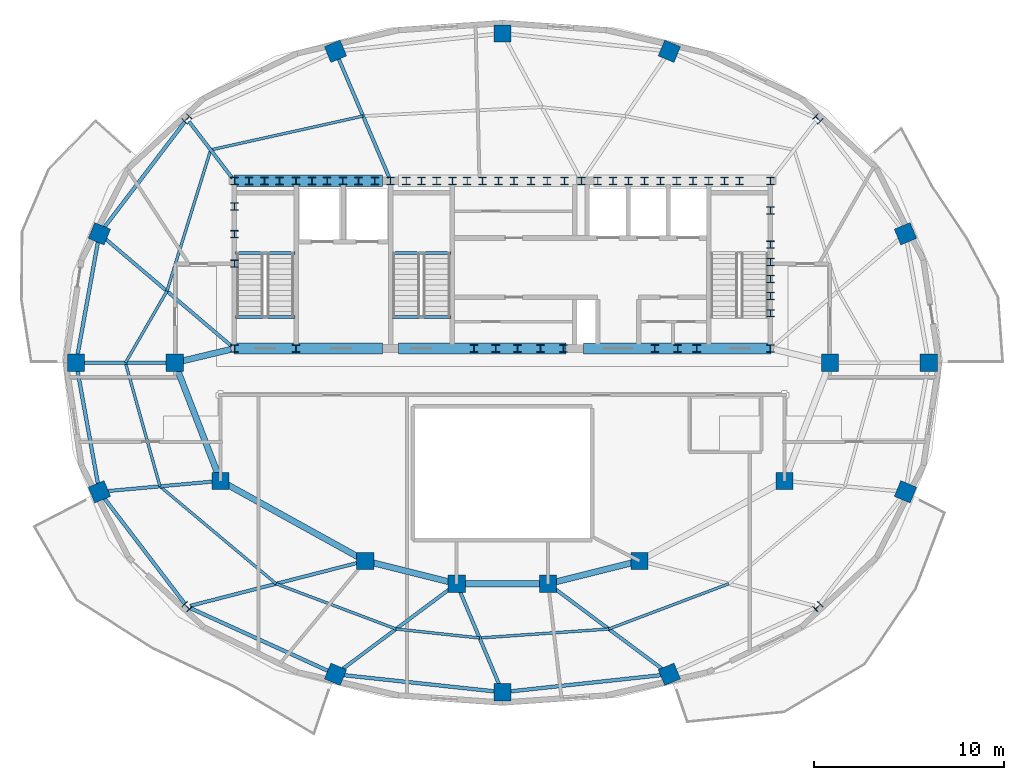
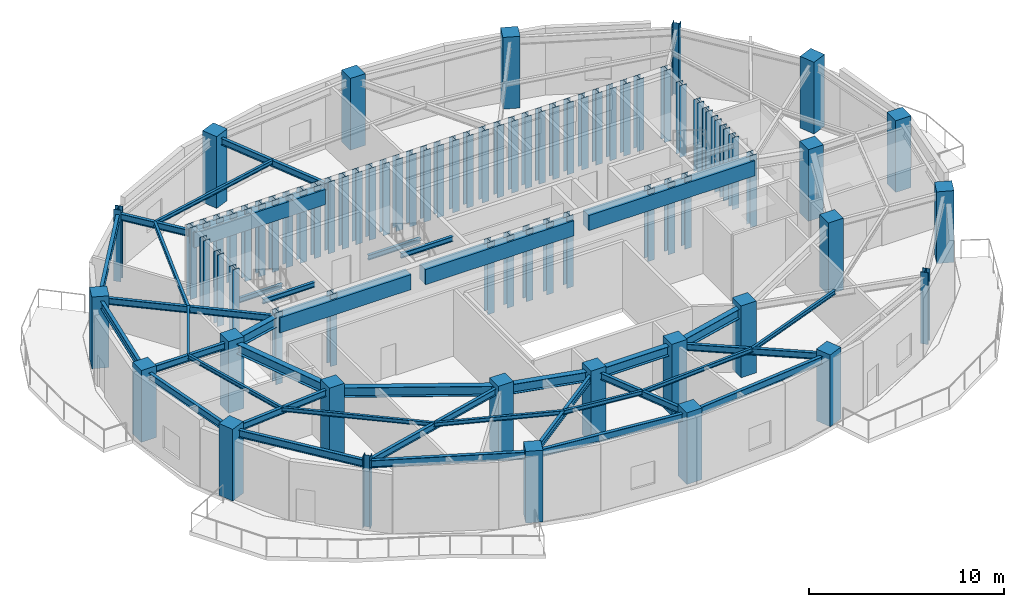
# One storey, part 1 of 9: 78 columns, 39 beams.
"""IFC4 building model written with IfcOpenShell, lengths in metres."""

from ifc_helpers import new_model, si_unit, direction, frame, origin, origin_2d, place, context, subcontext, project, spatial, rectangle, i_section, extrude, material, material_profile, profile_set, type_object, element, save


model = new_model("IFC4")

# Units and contexts
model_context = context("Model", 3, precision=1e-05, world=origin(), true_north=direction((0.0, 1.0)))
body_context = subcontext(model_context, "Body", "Model", "MODEL_VIEW")
ifc_project = project(units=[si_unit("LENGTHUNIT", "METRE"), si_unit("AREAUNIT", "SQUARE_METRE"), si_unit("VOLUMEUNIT", "CUBIC_METRE"), si_unit("PLANEANGLEUNIT", "RADIAN"), si_unit("MASSUNIT", "GRAM", prefix="KILO")], contexts=[model_context])

# Site, building, storey
site_placement = place(None, origin())
site = spatial("IfcSite", under=ifc_project, at=site_placement, CompositionType="ELEMENT")
building_placement = place(site_placement, origin())
building = spatial("IfcBuilding", under=site, at=building_placement, Name="Haldorwick Loom Tower", CompositionType="ELEMENT")
storey_placement = place(building_placement, frame((0.0, 0.0, 282.0)))
storey = spatial("IfcBuildingStorey", under=building, at=storey_placement, Name="L76", CompositionType="ELEMENT", Elevation=282.0)

# Columns
ifc_material_1 = material(Name="Concrete C50 (50 MPa)", Category="concrete")
ifc_material_profile_1 = material_profile(ifc_material_1, rectangle(XDim=0.89990234375, YDim=0.89990234375, at=origin_2d()), Name="RC900X900", Category="concrete")
ifc_profile_set_1 = profile_set([ifc_material_profile_1], Name="Concrete C50 (50 MPa)")
column_type_1 = type_object("IfcColumnType", Name="STR-COL-RC900", PredefinedType="COLUMN", material=ifc_profile_set_1)
for number, where, z_axis, x_axis, name in (
    (1, (53.199951171875, 26.0, 0.0), (0.0, 0.0, 1.0), (1.0, 0.0, 0.0), "L76 Inner Column IC-01"),
    (2, (50.800048828125, 19.800048828125, 0.0), (0.0, 0.0, 1.0), (1.0, 0.0, 0.0), "L76 Inner Column IC-02"),
    (3, (43.199951171875, 15.60009765625, 0.0), (0.0, 0.0, 1.0), (1.0, 0.0, 0.0), "L76 Inner Column IC-03"),
    (4, (38.39990234375, 14.39990234375, 0.0), (0.0, 0.0, 1.0), (1.0, 0.0, 0.0), "L76 Inner Column IC-04"),
    (5, (33.60009765625, 14.39990234375, 0.0), (0.0, 0.0, 1.0), (1.0, 0.0, 0.0), "L76 Inner Column IC-05"),
    (6, (28.800048828125, 15.60009765625, 0.0), (0.0, 0.0, 1.0), (1.0, 0.0, 0.0), "L76 Inner Column IC-06"),
    (7, (21.199951171875, 19.800048828125, 0.0), (0.0, 0.0, 1.0), (1.0, 0.0, 0.0), "L76 Inner Column IC-07"),
    (8, (18.800048828125, 26.0, 0.0), (0.0, 0.0, 1.0), (1.0, 0.0, 0.0), "L76 Inner Column IC-08"),
    (9, (58.380859375, 26.0, 0.0), (0.0, 0.0, 1.0), (1.0, 0.0, 0.0), "L76 Perimeter Pier Column P01"),
    (10, (57.15673828125, 32.7734375, 0.0), (0.0, 0.0, 1.0), (0.923879532511, 0.382683432365, 0.0), "L76 Perimeter Pier Column P02"),
    (11, (44.763427734375, 42.352783203125, 0.0), (0.0, 0.0, 1.0), (0.382683432365, 0.923879532511, 0.0), "L76 Perimeter Pier Column P04"),
    (12, (36.0, 43.295166015625, 0.0), (0.0, 0.0, 1.0), (0.0, 1.0, 0.0), "L76 Perimeter Pier Column P05"),
    (13, (27.236572265625, 42.352783203125, 0.0), (0.0, 0.0, 1.0), (-0.382683432365, 0.923879532511, 0.0), "L76 Perimeter Pier Column P06"),
    (14, (14.84326171875, 32.7734375, 0.0), (0.0, 0.0, 1.0), (-0.923879532511, 0.382683432365, 0.0), "L76 Perimeter Pier Column P08"),
    (15, (13.619140625, 26.0, 0.0), (0.0, 0.0, 1.0), (-1.0, 0.0, 0.0), "L76 Perimeter Pier Column P09"),
    (16, (14.84326171875, 19.2265625, 0.0), (0.0, 0.0, 1.0), (-0.923879532511, -0.382683432365, 0.0), "L76 Perimeter Pier Column P10"),
    (17, (27.236572265625, 9.647216796875, 0.0), (0.0, 0.0, 1.0), (-0.382683432365, -0.923879532511, 0.0), "L76 Perimeter Pier Column P12"),
    (18, (36.0, 8.704833984375, 0.0), (0.0, 0.0, 1.0), (0.0, -1.0, 0.0), "L76 Perimeter Pier Column P13"),
    (19, (44.763427734375, 9.647216796875, 0.0), (0.0, 0.0, 1.0), (0.382683432365, -0.923879532511, 0.0), "L76 Perimeter Pier Column P14"),
    (20, (57.15673828125, 19.2265625, 0.0), (0.0, 0.0, 1.0), (0.923879532511, -0.382683432365, 0.0), "L76 Perimeter Pier Column P16"),
):
    element("IfcColumn", number, at=place(storey_placement, frame(where, z_axis=z_axis, x_axis=x_axis)), inside=storey, type_object=column_type_1, Name=name, PredefinedType="COLUMN", context=body_context, shape_type="SweptSolid", body=[
        extrude(rectangle(XDim=0.89990234375, YDim=0.89990234375, at=origin_2d()), origin(), (0.0, 0.0, 1.0), 4.5),
    ])
ifc_material_2 = material(Name="Steel CSA G40.21 350W", Category="steel")
ifc_material_profile_2 = material_profile(ifc_material_2, i_section(OverallWidth=0.39892578125, OverallDepth=0.39306640625, WebThickness=0.0185546875, FlangeThickness=0.029541015625, at=origin_2d()), Name="W360X287", Category="steel")
ifc_profile_set_2 = profile_set([ifc_material_profile_2], Name="Steel CSA G40.21 350W")
column_type_2 = type_object("IfcColumnType", Name="STR-COL-W360X287", PredefinedType="COLUMN", material=ifc_profile_set_2)
for number, where, z_axis, x_axis, name in (
    (21, (21.929931640625, 35.550048828125, 0.0), (0.0, 0.0, 1.0), (1.0, 0.0, 0.0), "L76 Core Pilaster CB-01"),
    (22, (23.5, 35.550048828125, 0.0), (0.0, 0.0, 1.0), (1.0, 0.0, 0.0), "L76 Core Pilaster CB-02"),
    (23, (25.169921875, 35.550048828125, 0.0), (0.0, 0.0, 1.0), (1.0, 0.0, 0.0), "L76 Core Pilaster CB-03"),
    (24, (26.800048828125, 35.550048828125, 0.0), (0.0, 0.0, 1.0), (1.0, 0.0, 0.0), "L76 Core Pilaster CB-04"),
    (25, (28.449951171875, 35.550048828125, 0.0), (0.0, 0.0, 1.0), (1.0, 0.0, 0.0), "L76 Core Pilaster CB-05"),
    (26, (30.1298828125, 35.550048828125, 0.0), (0.0, 0.0, 1.0), (1.0, 0.0, 0.0), "L76 Core Pilaster CB-06"),
    (27, (31.75, 35.550048828125, 0.0), (0.0, 0.0, 1.0), (1.0, 0.0, 0.0), "L76 Core Pilaster CB-07"),
    (28, (33.3701171875, 35.550048828125, 0.0), (0.0, 0.0, 1.0), (1.0, 0.0, 0.0), "L76 Core Pilaster CB-08"),
    (29, (34.949951171875, 35.550048828125, 0.0), (0.0, 0.0, 1.0), (1.0, 0.0, 0.0), "L76 Core Pilaster CB-09"),
    (30, (36.60009765625, 35.550048828125, 0.0), (0.0, 0.0, 1.0), (1.0, 0.0, 0.0), "L76 Core Pilaster CB-10"),
    (31, (38.35009765625, 35.550048828125, 0.0), (0.0, 0.0, 1.0), (1.0, 0.0, 0.0), "L76 Core Pilaster CB-11"),
    (32, (40.14990234375, 35.550048828125, 0.0), (0.0, 0.0, 1.0), (1.0, 0.0, 0.0), "L76 Core Pilaster CB-12"),
    (33, (41.800048828125, 35.550048828125, 0.0), (0.0, 0.0, 1.0), (1.0, 0.0, 0.0), "L76 Core Pilaster CB-13"),
    (34, (43.449951171875, 35.550048828125, 0.0), (0.0, 0.0, 1.0), (1.0, 0.0, 0.0), "L76 Core Pilaster CB-14"),
    (35, (45.14990234375, 35.550048828125, 0.0), (0.0, 0.0, 1.0), (1.0, 0.0, 0.0), "L76 Core Pilaster CB-15"),
    (36, (46.830078125, 35.550048828125, 0.0), (0.0, 0.0, 1.0), (1.0, 0.0, 0.0), "L76 Core Pilaster CB-16"),
    (37, (48.449951171875, 35.550048828125, 0.0), (0.0, 0.0, 1.0), (1.0, 0.0, 0.0), "L76 Core Pilaster CB-17"),
    (38, (50.070068359375, 35.550048828125, 0.0), (0.0, 0.0, 1.0), (1.0, 0.0, 0.0), "L76 Core Pilaster CB-18"),
    (39, (21.929931640625, 26.75, 0.0), (0.0, 0.0, 1.0), (1.0, 0.0, 0.0), "L76 Core Pilaster CB-19"),
    (40, (25.169921875, 26.75, 0.0), (0.0, 0.0, 1.0), (1.0, 0.0, 0.0), "L76 Core Pilaster CB-20"),
    (41, (34.5, 26.75, 0.0), (0.0, 0.0, 1.0), (1.0, 0.0, 0.0), "L76 Core Pilaster CB-21"),
    (42, (36.800048828125, 26.75, 0.0), (0.0, 0.0, 1.0), (1.0, 0.0, 0.0), "L76 Core Pilaster CB-22"),
    (43, (39.199951171875, 26.75, 0.0), (0.0, 0.0, 1.0), (1.0, 0.0, 0.0), "L76 Core Pilaster CB-23"),
    (44, (45.199951171875, 26.75, 0.0), (0.0, 0.0, 1.0), (1.0, 0.0, 0.0), "L76 Core Pilaster CB-24"),
    (45, (50.070068359375, 26.75, 0.0), (0.0, 0.0, 1.0), (1.0, 0.0, 0.0), "L76 Core Pilaster CB-25"),
    (46, (21.929931640625, 31.199951171875, 0.0), (0.0, 0.0, 1.0), (1.0, 0.0, 0.0), "L76 Core Pilaster CB-26"),
    (47, (21.929931640625, 32.75, 0.0), (0.0, 0.0, 1.0), (1.0, 0.0, 0.0), "L76 Core Pilaster CB-27"),
    (48, (21.929931640625, 34.199951171875, 0.0), (0.0, 0.0, 1.0), (1.0, 0.0, 0.0), "L76 Core Pilaster CB-28"),
    (49, (50.070068359375, 28.60009765625, 0.0), (0.0, 0.0, 1.0), (1.0, 0.0, 0.0), "L76 Core Pilaster CB-29"),
    (50, (50.070068359375, 30.39990234375, 0.0), (0.0, 0.0, 1.0), (1.0, 0.0, 0.0), "L76 Core Pilaster CB-30"),
    (51, (50.070068359375, 32.199951171875, 0.0), (0.0, 0.0, 1.0), (1.0, 0.0, 0.0), "L76 Core Pilaster CB-31"),
    (52, (50.070068359375, 34.0, 0.0), (0.0, 0.0, 1.0), (1.0, 0.0, 0.0), "L76 Core Pilaster CB-32"),
    (53, (22.699951171875, 35.550048828125, 0.0), (0.0, 0.0, 1.0), (1.0, 0.0, 0.0), "L76 Core Pilaster CB-33"),
    (54, (27.6201171875, 35.550048828125, 0.0), (0.0, 0.0, 1.0), (1.0, 0.0, 0.0), "L76 Core Pilaster CB-34"),
    (55, (32.550048828125, 35.550048828125, 0.0), (0.0, 0.0, 1.0), (1.0, 0.0, 0.0), "L76 Core Pilaster CB-35"),
    (56, (37.5, 35.550048828125, 0.0), (0.0, 0.0, 1.0), (1.0, 0.0, 0.0), "L76 Core Pilaster CB-36"),
    (57, (42.6201171875, 35.550048828125, 0.0), (0.0, 0.0, 1.0), (1.0, 0.0, 0.0), "L76 Core Pilaster CB-37"),
    (58, (47.64990234375, 35.550048828125, 0.0), (0.0, 0.0, 1.0), (1.0, 0.0, 0.0), "L76 Core Pilaster CB-38"),
    (59, (24.300048828125, 35.550048828125, 0.0), (0.0, 0.0, 1.0), (1.0, 0.0, 0.0), "L76 Core Pilaster CB-39"),
    (60, (26.0, 35.550048828125, 0.0), (0.0, 0.0, 1.0), (1.0, 0.0, 0.0), "L76 Core Pilaster CB-40"),
    (61, (29.300048828125, 35.550048828125, 0.0), (0.0, 0.0, 1.0), (1.0, 0.0, 0.0), "L76 Core Pilaster CB-41"),
    (62, (30.949951171875, 35.550048828125, 0.0), (0.0, 0.0, 1.0), (1.0, 0.0, 0.0), "L76 Core Pilaster CB-42"),
    (63, (34.14990234375, 35.550048828125, 0.0), (0.0, 0.0, 1.0), (1.0, 0.0, 0.0), "L76 Core Pilaster CB-43"),
    (64, (35.800048828125, 35.550048828125, 0.0), (0.0, 0.0, 1.0), (1.0, 0.0, 0.0), "L76 Core Pilaster CB-44"),
    (65, (39.25, 35.550048828125, 0.0), (0.0, 0.0, 1.0), (1.0, 0.0, 0.0), "L76 Core Pilaster CB-45"),
    (66, (41.0, 35.550048828125, 0.0), (0.0, 0.0, 1.0), (1.0, 0.0, 0.0), "L76 Core Pilaster CB-46"),
    (67, (44.300048828125, 35.550048828125, 0.0), (0.0, 0.0, 1.0), (1.0, 0.0, 0.0), "L76 Core Pilaster CB-47"),
    (68, (46.0, 35.550048828125, 0.0), (0.0, 0.0, 1.0), (1.0, 0.0, 0.0), "L76 Core Pilaster CB-48"),
    (69, (50.070068359375, 29.5, 0.0), (0.0, 0.0, 1.0), (1.0, 0.0, 0.0), "L76 Core Pilaster CB-49"),
    (70, (50.070068359375, 31.300048828125, 0.0), (0.0, 0.0, 1.0), (1.0, 0.0, 0.0), "L76 Core Pilaster CB-50"),
    (71, (35.64990234375, 26.75, 0.0), (0.0, 0.0, 1.0), (1.0, 0.0, 0.0), "L76 Core Pilaster CB-51"),
    (72, (38.0, 26.75, 0.0), (0.0, 0.0, 1.0), (1.0, 0.0, 0.0), "L76 Core Pilaster CB-52"),
    (73, (44.0, 26.75, 0.0), (0.0, 0.0, 1.0), (1.0, 0.0, 0.0), "L76 Core Pilaster CB-53"),
    (74, (46.199951171875, 26.75, 0.0), (0.0, 0.0, 1.0), (1.0, 0.0, 0.0), "L76 Core Pilaster CB-54"),
    (75, (52.559814453125, 38.802001953125, 0.0), (0.0, 0.0, 1.0), (0.707106781187, 0.707106781187, 0.0), "L76 Perimeter Pier Column P03"),
    (76, (19.440185546875, 38.802001953125, 0.0), (0.0, 0.0, 1.0), (-0.707106781187, 0.707106781187, 0.0), "L76 Perimeter Pier Column P07"),
    (77, (19.440185546875, 13.197998046875, 0.0), (0.0, 0.0, 1.0), (-0.707106781187, -0.707106781187, 0.0), "L76 Perimeter Pier Column P11"),
    (78, (52.559814453125, 13.197998046875, 0.0), (0.0, 0.0, 1.0), (0.707106781187, -0.707106781187, 0.0), "L76 Perimeter Pier Column P15"),
):
    element("IfcColumn", number, at=place(storey_placement, frame(where, z_axis=z_axis, x_axis=x_axis)), inside=storey, type_object=column_type_2, Name=name, PredefinedType="COLUMN", context=body_context, shape_type="SweptSolid", body=[
        extrude(i_section(OverallWidth=0.39892578125, OverallDepth=0.39306640625, WebThickness=0.0185546875, FlangeThickness=0.029541015625, at=origin_2d()), origin(), (0.0, 0.0, 1.0), 4.5),
    ])

# Beams
ifc_material_profile_3 = material_profile(ifc_material_1, rectangle(XDim=0.60009765625, YDim=0.949951171875, at=origin_2d()), Name="RC600X950", Category="concrete")
ifc_profile_set_3 = profile_set([ifc_material_profile_3], Name="Concrete C50 (50 MPa)")
beam_type_1 = type_object("IfcBeamType", Name="STR-BM-CB950", PredefinedType="LINTEL", material=ifc_profile_set_3)
for number, where, z_axis, x_axis, name in (
    (79, (21.89990234375, 35.550048828125, 3.72509765625), (1.0, 0.0, 0.0), (0.0, 1.0, 0.0), "L76 Core Coupling Beam CB-N1"),
    (80, (21.89990234375, 26.75, 3.72509765625), (1.0, 0.0, 0.0), (0.0, 1.0, 0.0), "L76 Core Coupling Beam CB-S1"),
):
    element("IfcBeam", number, at=place(storey_placement, frame(where, z_axis=z_axis, x_axis=x_axis)), inside=storey, type_object=beam_type_1, Name=name, PredefinedType="LINTEL", context=body_context, shape_type="SweptSolid", body=[
        extrude(rectangle(XDim=0.60009765625, YDim=0.949951171875, at=origin_2d()), origin(), (0.0, 0.0, 1.0), 7.800048828125),
    ])
beam_1_placement = place(storey_placement, frame((30.550048828125, 26.75, 3.72509765625), z_axis=(1.0, 0.0, 0.0), x_axis=(0.0, 1.0, 0.0)))
element("IfcBeam", 81, at=beam_1_placement, inside=storey, type_object=beam_type_1, Name="L76 Core Coupling Beam CB-S2", PredefinedType="LINTEL", context=body_context, shape_type="SweptSolid", body=[
    extrude(rectangle(XDim=0.60009765625, YDim=0.949951171875, at=origin_2d()), origin(), (0.0, 0.0, 1.0), 8.800048828125),
])
beam_2_placement = place(storey_placement, frame((40.25, 26.75, 3.72509765625), z_axis=(1.0, 0.0, 0.0), x_axis=(0.0, 1.0, 0.0)))
element("IfcBeam", 82, at=beam_2_placement, inside=storey, type_object=beam_type_1, Name="L76 Core Coupling Beam CB-S3", PredefinedType="LINTEL", context=body_context, shape_type="SweptSolid", body=[
    extrude(rectangle(XDim=0.60009765625, YDim=0.949951171875, at=origin_2d()), origin(), (0.0, 0.0, 1.0), 9.85009765625),
])
ifc_material_profile_4 = material_profile(ifc_material_2, i_section(OverallWidth=0.14599609375, OverallDepth=0.258056640625, WebThickness=0.006103515625, FlangeThickness=0.009033203125, at=origin_2d()), Name="W250X33", Category="steel")
ifc_profile_set_4 = profile_set([ifc_material_profile_4], Name="Steel CSA G40.21 350W")
beam_type_2 = type_object("IfcBeamType", Name="STR-BM-J250", PredefinedType="JOIST", material=ifc_profile_set_4)
beam_3_placement = place(storey_placement, frame((28.683349609375, 38.951416015625, 4.071044921875), z_axis=(-0.976238917254, -0.216696969148, 0.0), x_axis=(0.216696969148, -0.976238917254, 0.0)))
element("IfcBeam", 83, at=beam_3_placement, inside=storey, type_object=beam_type_2, Name="L76 Mid-Bay Secondary Joist 6", PredefinedType="JOIST", context=body_context, shape_type="SweptSolid", body=[
    extrude(i_section(OverallWidth=0.14599609375, OverallDepth=0.258056640625, WebThickness=0.006103515625, FlangeThickness=0.009033203125, at=origin_2d()), origin(), (0.0, 0.0, 1.0), 8.19287109375),
])
beam_4_placement = place(storey_placement, frame((20.68505859375, 37.176025390625, 4.071044921875), z_axis=(-0.296087580312, -0.955160795251, 0.0), x_axis=(0.955160795251, -0.296087580312, 0.0)))
element("IfcBeam", 84, at=beam_4_placement, inside=storey, type_object=beam_type_2, Name="L76 Mid-Bay Secondary Joist 7", PredefinedType="JOIST", context=body_context, shape_type="SweptSolid", body=[
    extrude(i_section(OverallWidth=0.14599609375, OverallDepth=0.258056640625, WebThickness=0.006103515625, FlangeThickness=0.009033203125, at=origin_2d()), origin(), (0.0, 0.0, 1.0), 7.762451171875),
])
beam_5_placement = place(storey_placement, frame((18.38671875, 29.76171875, 4.071044921875), z_axis=(-0.50089233553, -0.865509600297, 0.0), x_axis=(0.865509600297, -0.50089233553, 0.0)))
element("IfcBeam", 85, at=beam_5_placement, inside=storey, type_object=beam_type_2, Name="L76 Mid-Bay Secondary Joist 8", PredefinedType="JOIST", context=body_context, shape_type="SweptSolid", body=[
    extrude(i_section(OverallWidth=0.14599609375, OverallDepth=0.258056640625, WebThickness=0.006103515625, FlangeThickness=0.009033203125, at=origin_2d()), origin(), (0.0, 0.0, 1.0), 4.34619140625),
])
beam_6_placement = place(storey_placement, frame((16.209716796875, 26.0, 4.071044921875), z_axis=(0.269004652199, -0.963138877367, 0.0), x_axis=(0.963138877367, 0.269004652199, 0.0)))
element("IfcBeam", 86, at=beam_6_placement, inside=storey, type_object=beam_type_2, Name="L76 Mid-Bay Secondary Joist 9", PredefinedType="JOIST", context=body_context, shape_type="SweptSolid", body=[
    extrude(i_section(OverallWidth=0.14599609375, OverallDepth=0.258056640625, WebThickness=0.006103515625, FlangeThickness=0.009033203125, at=origin_2d()), origin(), (0.0, 0.0, 1.0), 6.735107421875),
])
beam_7_placement = place(storey_placement, frame((18.021484375, 19.51318359375, 4.071044921875), z_axis=(0.766236362394, -0.642558819833, 0.0), x_axis=(0.642558819833, 0.766236362394, 0.0)))
element("IfcBeam", 87, at=beam_7_placement, inside=storey, type_object=beam_type_2, Name="L76 Mid-Bay Secondary Joist 10", PredefinedType="JOIST", context=body_context, shape_type="SweptSolid", body=[
    extrude(i_section(OverallWidth=0.14599609375, OverallDepth=0.258056640625, WebThickness=0.006103515625, FlangeThickness=0.009033203125, at=origin_2d()), origin(), (0.0, 0.0, 1.0), 7.959228515625),
])
beam_8_placement = place(storey_placement, frame((24.1201171875, 14.39892578125, 4.071044921875), z_axis=(0.93567019597, -0.352875735031, 0.0), x_axis=(0.352875735031, 0.93567019597, 0.0)))
element("IfcBeam", 88, at=beam_8_placement, inside=storey, type_object=beam_type_2, Name="L76 Mid-Bay Secondary Joist 11", PredefinedType="JOIST", context=body_context, shape_type="SweptSolid", body=[
    extrude(i_section(OverallWidth=0.14599609375, OverallDepth=0.258056640625, WebThickness=0.006103515625, FlangeThickness=0.009033203125, at=origin_2d()), origin(), (0.0, 0.0, 1.0), 6.731201171875),
])
beam_9_placement = place(storey_placement, frame((30.418212890625, 12.023681640625, 4.071044921875), z_axis=(0.994268003688, -0.106916494714, 0.0), x_axis=(0.106916494714, 0.994268003688, 0.0)))
element("IfcBeam", 89, at=beam_9_placement, inside=storey, type_object=beam_type_2, Name="L76 Mid-Bay Secondary Joist 12", PredefinedType="JOIST", context=body_context, shape_type="SweptSolid", body=[
    extrude(i_section(OverallWidth=0.14599609375, OverallDepth=0.258056640625, WebThickness=0.006103515625, FlangeThickness=0.009033203125, at=origin_2d()), origin(), (0.0, 0.0, 1.0), 4.406982421875),
])
beam_10_placement = place(storey_placement, frame((34.800048828125, 11.552490234375, 4.071044921875), z_axis=(0.997595007309, 0.069312346609, 0.0), x_axis=(-0.069312346609, 0.997595007309, 0.0)))
element("IfcBeam", 90, at=beam_10_placement, inside=storey, type_object=beam_type_2, Name="L76 Mid-Bay Secondary Joist 13", PredefinedType="JOIST", context=body_context, shape_type="SweptSolid", body=[
    extrude(i_section(OverallWidth=0.14599609375, OverallDepth=0.258056640625, WebThickness=0.006103515625, FlangeThickness=0.009033203125, at=origin_2d()), origin(), (0.0, 0.0, 1.0), 6.798095703125),
])
beam_11_placement = place(storey_placement, frame((41.581787109375, 12.023681640625, 4.071044921875), z_axis=(0.93567019597, 0.352875735031, 0.0), x_axis=(-0.352875735031, 0.93567019597, 0.0)))
element("IfcBeam", 91, at=beam_11_placement, inside=storey, type_object=beam_type_2, Name="L76 Mid-Bay Secondary Joist 14", PredefinedType="JOIST", context=body_context, shape_type="SweptSolid", body=[
    extrude(i_section(OverallWidth=0.14599609375, OverallDepth=0.258056640625, WebThickness=0.006103515625, FlangeThickness=0.009033203125, at=origin_2d()), origin(), (0.0, 0.0, 1.0), 6.731201171875),
])
ifc_material_profile_5 = material_profile(ifc_material_2, i_section(OverallWidth=0.179931640625, OverallDepth=0.4130859375, WebThickness=0.009765625, FlangeThickness=0.01611328125, at=origin_2d()), Name="W410X74", Category="steel")
ifc_profile_set_5 = profile_set([ifc_material_profile_5], Name="Steel CSA G40.21 350W")
beam_type_3 = type_object("IfcBeamType", Name="STR-BM-J410", PredefinedType="JOIST", material=ifc_profile_set_5)
beam_12_placement = place(storey_placement, frame((30.06298828125, 35.707763671875, 3.993408203125), z_axis=(-0.391420554147, 0.92021190483, 0.0), x_axis=(-0.92021190483, -0.391420554147, 0.0)))
element("IfcBeam", 92, at=beam_12_placement, inside=storey, type_object=beam_type_3, Name="L76 Radial Floor Girder 6", PredefinedType="JOIST", context=body_context, shape_type="SweptSolid", body=[
    extrude(i_section(OverallWidth=0.179931640625, OverallDepth=0.4130859375, WebThickness=0.009765625, FlangeThickness=0.01611328125, at=origin_2d()), origin(), (0.0, 0.0, 1.0), 6.796142578125),
])
beam_13_placement = place(storey_placement, frame((21.82568359375, 35.686279296875, 3.993408203125), z_axis=(-0.607923320425, 0.793995740847, 0.0), x_axis=(-0.793995740847, -0.607923320425, 0.0)))
element("IfcBeam", 93, at=beam_13_placement, inside=storey, type_object=beam_type_3, Name="L76 Radial Floor Girder 7", PredefinedType="JOIST", context=body_context, shape_type="SweptSolid", body=[
    extrude(i_section(OverallWidth=0.179931640625, OverallDepth=0.4130859375, WebThickness=0.009765625, FlangeThickness=0.01611328125, at=origin_2d()), origin(), (0.0, 0.0, 1.0), 3.75244140625),
])
beam_14_placement = place(storey_placement, frame((21.79931640625, 26.861083984375, 3.993408203125), z_axis=(-0.761954542494, 0.647630508216, 0.0), x_axis=(-0.647630508216, -0.761954542494, 0.0)))
element("IfcBeam", 94, at=beam_14_placement, inside=storey, type_object=beam_type_3, Name="L76 Radial Floor Girder 8", PredefinedType="JOIST", context=body_context, shape_type="SweptSolid", body=[
    extrude(i_section(OverallWidth=0.179931640625, OverallDepth=0.4130859375, WebThickness=0.009765625, FlangeThickness=0.01611328125, at=origin_2d()), origin(), (0.0, 0.0, 1.0), 8.704345703125),
])
beam_15_placement = place(storey_placement, frame((18.375, 26.0, 3.993408203125), z_axis=(-1.0, 0.0, 0.0), x_axis=(0.0, -1.0, 0.0)))
element("IfcBeam", 95, at=beam_15_placement, inside=storey, type_object=beam_type_3, Name="L76 Radial Floor Girder 9", PredefinedType="JOIST", context=body_context, shape_type="SweptSolid", body=[
    extrude(i_section(OverallWidth=0.179931640625, OverallDepth=0.4130859375, WebThickness=0.009765625, FlangeThickness=0.01611328125, at=origin_2d()), origin(), (0.0, 0.0, 1.0), 4.330810546875),
])
beam_16_placement = place(storey_placement, frame((20.776611328125, 19.76171875, 3.993408203125), z_axis=(-0.995955545461, -0.08984737873, 0.0), x_axis=(0.08984737873, -0.995955545461, 0.0)))
element("IfcBeam", 96, at=beam_16_placement, inside=storey, type_object=beam_type_3, Name="L76 Radial Floor Girder 10", PredefinedType="JOIST", context=body_context, shape_type="SweptSolid", body=[
    extrude(i_section(OverallWidth=0.179931640625, OverallDepth=0.4130859375, WebThickness=0.009765625, FlangeThickness=0.01611328125, at=origin_2d()), origin(), (0.0, 0.0, 1.0), 5.532470703125),
])
beam_17_placement = place(storey_placement, frame((28.38818359375, 15.494384765625, 3.993408203125), z_axis=(-0.968607693966, -0.248594318498, 0.0), x_axis=(0.248594318498, -0.968607693966, 0.0)))
element("IfcBeam", 97, at=beam_17_placement, inside=storey, type_object=beam_type_3, Name="L76 Radial Floor Girder 11", PredefinedType="JOIST", context=body_context, shape_type="SweptSolid", body=[
    extrude(i_section(OverallWidth=0.179931640625, OverallDepth=0.4130859375, WebThickness=0.009765625, FlangeThickness=0.01611328125, at=origin_2d()), origin(), (0.0, 0.0, 1.0), 9.066650390625),
])
beam_18_placement = place(storey_placement, frame((33.259521484375, 14.145751953125, 3.993408203125), z_axis=(-0.801204527525, -0.598390595742, 0.0), x_axis=(0.598390595742, -0.801204527525, 0.0)))
element("IfcBeam", 98, at=beam_18_placement, inside=storey, type_object=beam_type_3, Name="L76 Radial Floor Girder 12", PredefinedType="JOIST", context=body_context, shape_type="SweptSolid", body=[
    extrude(i_section(OverallWidth=0.179931640625, OverallDepth=0.4130859375, WebThickness=0.009765625, FlangeThickness=0.01611328125, at=origin_2d()), origin(), (0.0, 0.0, 1.0), 7.092529296875),
])
beam_19_placement = place(storey_placement, frame((33.764892578125, 14.00830078125, 3.993408203125), z_axis=(0.388362079437, -0.921506861209, 0.0), x_axis=(0.921506861209, 0.388362079437, 0.0)))
element("IfcBeam", 99, at=beam_19_placement, inside=storey, type_object=beam_type_3, Name="L76 Radial Floor Girder 13", PredefinedType="JOIST", context=body_context, shape_type="SweptSolid", body=[
    extrude(i_section(OverallWidth=0.179931640625, OverallDepth=0.4130859375, WebThickness=0.009765625, FlangeThickness=0.01611328125, at=origin_2d()), origin(), (0.0, 0.0, 1.0), 5.330322265625),
])
beam_20_placement = place(storey_placement, frame((38.740478515625, 14.145751953125, 3.993408203125), z_axis=(0.801204527525, -0.598390595742, 0.0), x_axis=(0.598390595742, 0.801204527525, 0.0)))
element("IfcBeam", 100, at=beam_20_placement, inside=storey, type_object=beam_type_3, Name="L76 Radial Floor Girder 14", PredefinedType="JOIST", context=body_context, shape_type="SweptSolid", body=[
    extrude(i_section(OverallWidth=0.179931640625, OverallDepth=0.4130859375, WebThickness=0.009765625, FlangeThickness=0.01611328125, at=origin_2d()), origin(), (0.0, 0.0, 1.0), 7.092529296875),
])
ifc_material_profile_6 = material_profile(ifc_material_2, i_section(OverallWidth=0.193115234375, OverallDepth=0.466064453125, WebThickness=0.011474609375, FlangeThickness=0.01904296875, at=origin_2d()), Name="W460X97", Category="steel")
ifc_profile_set_6 = profile_set([ifc_material_profile_6], Name="Steel CSA G40.21 350W")
beam_type_4 = type_object("IfcBeamType", Name="STR-BM-SP460", PredefinedType="SPANDREL", material=ifc_profile_set_6)
beam_21_placement = place(storey_placement, frame((19.336181640625, 38.66552734375, 3.967041015625), z_axis=(-0.606384376075, -0.795171672315, 0.0), x_axis=(0.795171672315, -0.606384376075, 0.0)))
element("IfcBeam", 101, at=beam_21_placement, inside=storey, type_object=beam_type_4, Name="L76 Perimeter Spandrel 7", PredefinedType="SPANDREL", context=body_context, shape_type="SweptSolid", body=[
    extrude(i_section(OverallWidth=0.193115234375, OverallDepth=0.466064453125, WebThickness=0.011474609375, FlangeThickness=0.01904296875, at=origin_2d()), origin(), (0.0, 0.0, 1.0), 6.984619140625),
])
for number, where, z_axis, x_axis, name in (
    (102, (14.767578125, 32.355224609375, 3.967041015625), (-0.177809893073, -0.984064856565, 0.0), (0.984064856565, -0.177809893073, 0.0), "L76 Perimeter Spandrel 8"),
    (103, (13.69482421875, 25.581787109375, 3.967041015625), (0.177809893073, -0.984064856565, 0.0), (0.984064856565, 0.177809893073, 0.0), "L76 Perimeter Spandrel 9"),
):
    element("IfcBeam", number, at=place(storey_placement, frame(where, z_axis=z_axis, x_axis=x_axis)), inside=storey, type_object=beam_type_4, Name=name, PredefinedType="SPANDREL", context=body_context, shape_type="SweptSolid", body=[
        extrude(i_section(OverallWidth=0.193115234375, OverallDepth=0.466064453125, WebThickness=0.011474609375, FlangeThickness=0.01904296875, at=origin_2d()), origin(), (0.0, 0.0, 1.0), 6.033203125),
    ])
beam_22_placement = place(storey_placement, frame((15.100830078125, 18.888427734375, 3.967041015625), z_axis=(0.606384376075, -0.795171672315, 0.0), x_axis=(0.795171672315, 0.606384376075, 0.0)))
element("IfcBeam", 104, at=beam_22_placement, inside=storey, type_object=beam_type_4, Name="L76 Perimeter Spandrel 10", PredefinedType="SPANDREL", context=body_context, shape_type="SweptSolid", body=[
    extrude(i_section(OverallWidth=0.193115234375, OverallDepth=0.466064453125, WebThickness=0.011474609375, FlangeThickness=0.01904296875, at=origin_2d()), origin(), (0.0, 0.0, 1.0), 6.984619140625),
])
beam_23_placement = place(storey_placement, frame((19.59619140625, 13.126953125, 3.967041015625), z_axis=(0.910060964072, -0.414474416185, 0.0), x_axis=(0.414474416185, 0.910060964072, 0.0)))
element("IfcBeam", 105, at=beam_23_placement, inside=storey, type_object=beam_type_4, Name="L76 Perimeter Spandrel 11", PredefinedType="SPANDREL", context=body_context, shape_type="SweptSolid", body=[
    extrude(i_section(OverallWidth=0.193115234375, OverallDepth=0.466064453125, WebThickness=0.011474609375, FlangeThickness=0.01904296875, at=origin_2d()), origin(), (0.0, 0.0, 1.0), 7.97021484375),
])
for number, where, z_axis, x_axis, name in (
    (106, (27.6591796875, 9.601806640625, 3.967041015625), (0.994266744602, -0.106928202916, 0.0), (0.106928202916, 0.994266744602, 0.0), "L76 Perimeter Spandrel 12"),
    (107, (36.422607421875, 8.750244140625, 3.967041015625), (0.994266744602, 0.106928202916, 0.0), (-0.106928202916, 0.994266744602, 0.0), "L76 Perimeter Spandrel 13"),
):
    element("IfcBeam", number, at=place(storey_placement, frame(where, z_axis=z_axis, x_axis=x_axis)), inside=storey, type_object=beam_type_4, Name=name, PredefinedType="SPANDREL", context=body_context, shape_type="SweptSolid", body=[
        extrude(i_section(OverallWidth=0.193115234375, OverallDepth=0.466064453125, WebThickness=0.011474609375, FlangeThickness=0.01904296875, at=origin_2d()), origin(), (0.0, 0.0, 1.0), 7.9638671875),
    ])
ifc_material_profile_7 = material_profile(ifc_material_2, i_section(OverallWidth=0.166015625, OverallDepth=0.31298828125, WebThickness=0.006591796875, FlangeThickness=0.01123046875, at=origin_2d()), Name="W310X45", Category="steel")
ifc_profile_set_7 = profile_set([ifc_material_profile_7], Name="Steel CSA G40.21 350W")
beam_type_5 = type_object("IfcBeamType", Name="STR-BM-STRM", PredefinedType="BEAM", material=ifc_profile_set_7)
for number, where, z_axis, x_axis, name in (
    (108, (21.989990234375, 28.39990234375, 4.04345703125), (1.0, 0.0, 0.0), (0.0, 1.0, 0.0), "L76 Stair ST-01 Landing Edge Trimmer"),
    (109, (21.989990234375, 31.760009765625, 1.8935546875), (1.0, 0.0, 0.0), (0.0, 1.0, 0.0), "L76 Stair ST-01 Half-Landing Trimmer 1"),
    (110, (30.18994140625, 28.39990234375, 4.04345703125), (1.0, 0.0, 0.0), (0.0, 1.0, 0.0), "L76 Stair ST-03 Landing Edge Trimmer"),
    (111, (30.18994140625, 31.760009765625, 1.8935546875), (1.0, 0.0, 0.0), (0.0, 1.0, 0.0), "L76 Stair ST-03 Half-Landing Trimmer 1"),
):
    element("IfcBeam", number, at=place(storey_placement, frame(where, z_axis=z_axis, x_axis=x_axis)), inside=storey, type_object=beam_type_5, Name=name, PredefinedType="BEAM", context=body_context, shape_type="SweptSolid", body=[
        extrude(i_section(OverallWidth=0.166015625, OverallDepth=0.31298828125, WebThickness=0.006591796875, FlangeThickness=0.01123046875, at=origin_2d()), origin(), (0.0, 0.0, 1.0), 3.1201171875),
    ])
ifc_material_profile_8 = material_profile(ifc_material_2, i_section(OverallWidth=0.324951171875, OverallDepth=0.615966796875, WebThickness=0.013916015625, FlangeThickness=0.021484375, at=origin_2d()), Name="W610X174", Category="steel")
ifc_profile_set_8 = profile_set([ifc_material_profile_8], Name="Steel CSA G40.21 350W")
beam_type_6 = type_object("IfcBeamType", Name="STR-BM-W610A", PredefinedType="BEAM", material=ifc_profile_set_8)
beam_24_placement = place(storey_placement, frame((42.78759765625, 15.496826171875, 3.89208984375), z_axis=(-0.97015301348, -0.242493567823, 0.0), x_axis=(0.242493567823, -0.97015301348, 0.0)))
element("IfcBeam", 112, at=beam_24_placement, inside=storey, type_object=beam_type_6, Name="L76 Inner Ring Girder 4", PredefinedType="BEAM", context=body_context, shape_type="SweptSolid", body=[
    extrude(i_section(OverallWidth=0.324951171875, OverallDepth=0.615966796875, WebThickness=0.013916015625, FlangeThickness=0.021484375, at=origin_2d()), origin(), (0.0, 0.0, 1.0), 4.09765625),
])
beam_25_placement = place(storey_placement, frame((37.97509765625, 14.39990234375, 3.89208984375), z_axis=(-1.0, 0.0, 0.0), x_axis=(0.0, -1.0, 0.0)))
element("IfcBeam", 113, at=beam_25_placement, inside=storey, type_object=beam_type_6, Name="L76 Inner Ring Girder 5", PredefinedType="BEAM", context=body_context, shape_type="SweptSolid", body=[
    extrude(i_section(OverallWidth=0.324951171875, OverallDepth=0.615966796875, WebThickness=0.013916015625, FlangeThickness=0.021484375, at=origin_2d()), origin(), (0.0, 0.0, 1.0), 3.9501953125),
])
beam_26_placement = place(storey_placement, frame((33.187744140625, 14.503173828125, 3.89208984375), z_axis=(-0.97015301348, 0.242493567823, 0.0), x_axis=(-0.242493567823, -0.97015301348, 0.0)))
element("IfcBeam", 114, at=beam_26_placement, inside=storey, type_object=beam_type_6, Name="L76 Inner Ring Girder 6", PredefinedType="BEAM", context=body_context, shape_type="SweptSolid", body=[
    extrude(i_section(OverallWidth=0.324951171875, OverallDepth=0.615966796875, WebThickness=0.013916015625, FlangeThickness=0.021484375, at=origin_2d()), origin(), (0.0, 0.0, 1.0), 4.09765625),
])
beam_27_placement = place(storey_placement, frame((28.427978515625, 15.8056640625, 3.89208984375), z_axis=(-0.875241535439, 0.48368611169, 0.0), x_axis=(-0.48368611169, -0.875241535439, 0.0)))
element("IfcBeam", 115, at=beam_27_placement, inside=storey, type_object=beam_type_6, Name="L76 Inner Ring Girder 7", PredefinedType="BEAM", context=body_context, shape_type="SweptSolid", body=[
    extrude(i_section(OverallWidth=0.324951171875, OverallDepth=0.615966796875, WebThickness=0.013916015625, FlangeThickness=0.021484375, at=origin_2d()), origin(), (0.0, 0.0, 1.0), 7.833251953125),
])
beam_28_placement = place(storey_placement, frame((21.046630859375, 20.1962890625, 3.89208984375), z_axis=(-0.361001189766, 0.932565354808, 0.0), x_axis=(-0.932565354808, -0.361001189766, 0.0)))
element("IfcBeam", 116, at=beam_28_placement, inside=storey, type_object=beam_type_6, Name="L76 Inner Ring Girder 8", PredefinedType="BEAM", context=body_context, shape_type="SweptSolid", body=[
    extrude(i_section(OverallWidth=0.324951171875, OverallDepth=0.615966796875, WebThickness=0.013916015625, FlangeThickness=0.021484375, at=origin_2d()), origin(), (0.0, 0.0, 1.0), 5.798583984375),
])
beam_29_placement = place(storey_placement, frame((19.21337890625, 26.09912109375, 3.89208984375), z_axis=(0.972483573168, 0.232971457302, 0.0), x_axis=(-0.232971457302, 0.972483573168, 0.0)))
element("IfcBeam", 117, at=beam_29_placement, inside=storey, type_object=beam_type_6, Name="L76 Inner Ring Girder 9", PredefinedType="BEAM", context=body_context, shape_type="SweptSolid", body=[
    extrude(i_section(OverallWidth=0.324951171875, OverallDepth=0.615966796875, WebThickness=0.013916015625, FlangeThickness=0.021484375, at=origin_2d()), origin(), (0.0, 0.0, 1.0), 2.6220703125),
])

save(model, "model.ifc")
